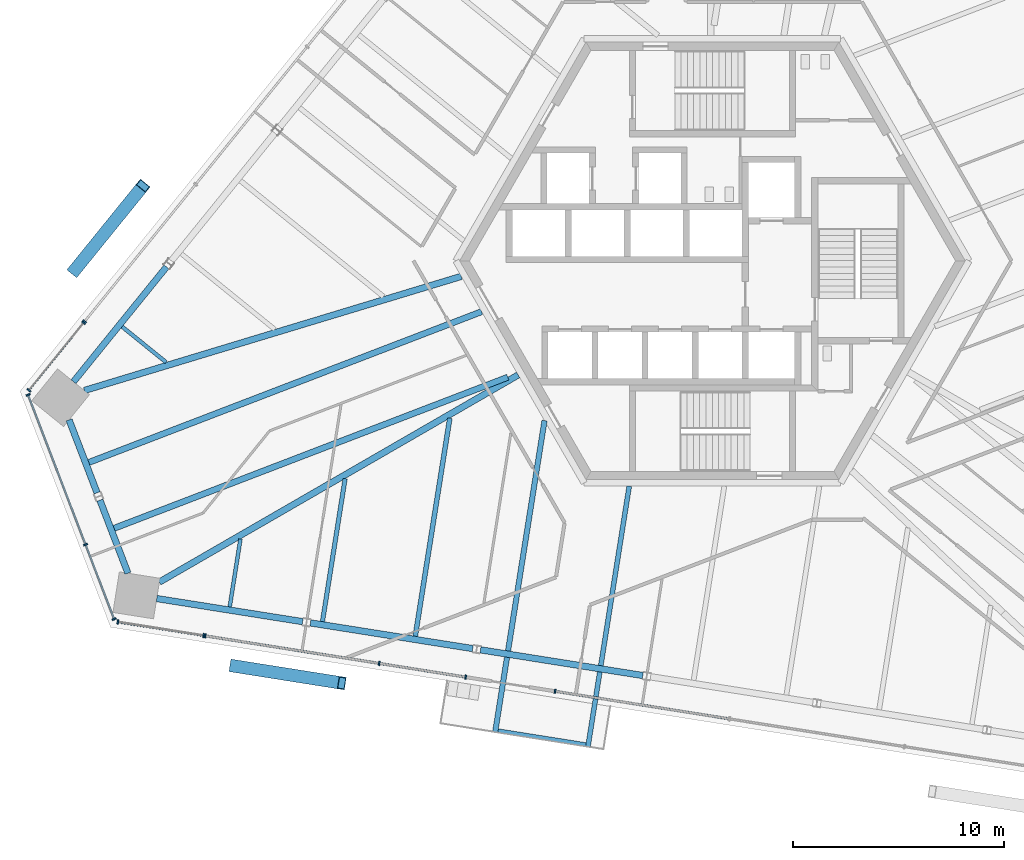
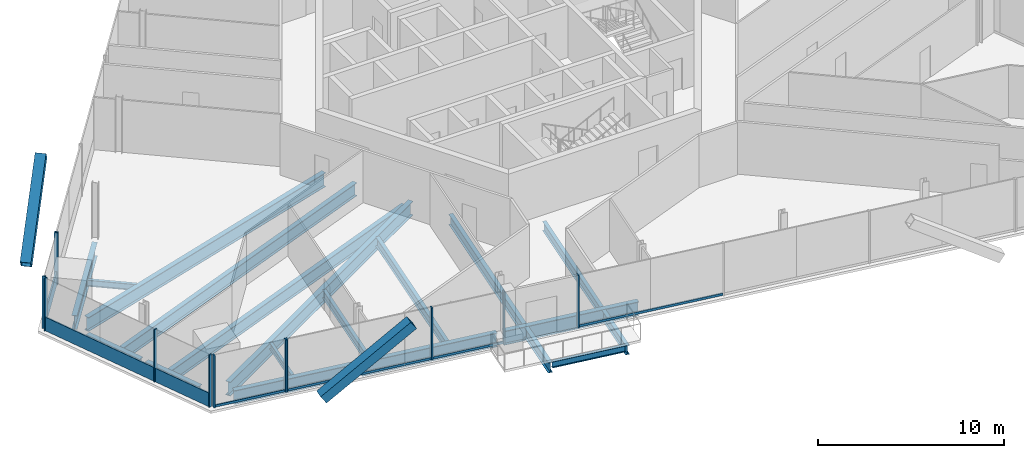
# One storey, part 4 of 19: 21 members, 19 beams, 6 elements without a shape of their own.
"""IFC4 building model written with IfcOpenShell, lengths in metres."""

from ifc_helpers import new_model, si_unit, direction, frame, origin, origin_2d, place, context, subcontext, project, spatial, rectangle, hollow_rectangle, i_section, extrude, source, transform, mapped, material, material_profile, profile_set, type_object, element, aggregate, save


model = new_model("IFC4")

# Units and contexts
model_context = context("Model", 3, precision=1e-05, world=origin(), true_north=direction((0.0, 1.0)))
body_context = subcontext(model_context, "Body", "Model", "MODEL_VIEW")
ifc_project = project(units=[si_unit("LENGTHUNIT", "METRE"), si_unit("AREAUNIT", "SQUARE_METRE"), si_unit("VOLUMEUNIT", "CUBIC_METRE"), si_unit("PLANEANGLEUNIT", "RADIAN"), si_unit("MASSUNIT", "GRAM", prefix="KILO")], contexts=[model_context])

# Site, building, storey
site_placement = place(None, origin())
site = spatial("IfcSite", under=ifc_project, at=site_placement, CompositionType="ELEMENT")
building_placement = place(site_placement, origin())
building = spatial("IfcBuilding", under=site, at=building_placement, Name="Triune Harvest Tower", CompositionType="ELEMENT")
storey_placement = place(building_placement, frame((0.0, 0.0, 142.5)))
storey = spatial("IfcBuildingStorey", under=building, at=storey_placement, Name="L36", CompositionType="ELEMENT", Elevation=142.5)

# Curtain wall, member
ifc_material_1 = material(Name="Aluminium bronze anodised", Category="aluminium")
curtain_wall_type_1 = type_object("IfcCurtainWallType", Name="CW-10 Balcony window wall with insulated spandrel infill", PredefinedType="NOTDEFINED", material=ifc_material_1)
curtain_wall_1_placement = place(storey_placement, origin())
curtain_wall_1 = element("IfcCurtainWall", 1, at=curtain_wall_1_placement, inside=storey, type_object=curtain_wall_type_1, Name="CW-10 B4-F5 L36 run 1001")
ifc_material_2 = material(Name="Aluminium bronze anodised", Category="aluminium")
ifc_material_profile_1 = material_profile(ifc_material_2, rectangle(XDim=0.090087890625, YDim=0.14990234375, at=origin_2d()), Name="TR-6 transom 90 x 150")
ifc_profile_set_1 = profile_set([ifc_material_profile_1], Name="Aluminium bronze anodised")
member_type_1 = type_object("IfcMemberType", Name="TR-6 transom 90 x 150", PredefinedType="USERDEFINED", material=ifc_profile_set_1)
member_1_placement = place(storey_placement, frame((-15.788330078125, -19.1162109375, 0.074951171875), z_axis=(0.987690677754, -0.156419708085, 0.0), x_axis=(0.156419708085, 0.987690677754, 0.0)))
member_1 = element("IfcMember", 2, at=member_1_placement, type_object=member_type_1, Name="CW-10 transom B4-F5 1001.2", ObjectType="TRANSOM", PredefinedType="USERDEFINED", context=body_context, shape_type="SweptSolid", body=[
    extrude(rectangle(XDim=0.090087890625, YDim=0.14990234375, at=origin_2d()), origin(), (0.0, 0.0, 1.0), 4.086181640625),
])

# Beams
ifc_material_3 = material(Name="Steel ASTM A992 Gr 50", Category="steel")
ifc_material_profile_2 = material_profile(ifc_material_3, i_section(OverallWidth=0.3046875, OverallDepth=0.914306640625, WebThickness=0.0166015625, FlangeThickness=0.02587890625, at=origin_2d()), Name="W36x160")
ifc_profile_set_2 = profile_set([ifc_material_profile_2], Name="Steel ASTM A992 Gr 50")
beam_type_1 = type_object("IfcBeamType", Name="SB-1 Spandrel beam W36x160", PredefinedType="SPANDREL", material=ifc_profile_set_2)
shared_shape_1 = source(origin(), body_context, "Body", "SweptSolid", [
    extrude(i_section(OverallWidth=0.3046875, OverallDepth=0.914306640625, WebThickness=0.0166015625, FlangeThickness=0.02587890625, at=origin_2d()), origin(), (0.0, 0.0, 1.0), 7.013427734375),
])
for number, where, z_axis, x_axis, name in (
    (3, (-25.920166015625, -0.2890625, -0.6171875), (-0.629311381255, -0.777153257358, 0.0), (0.777153257358, -0.629311381255, 0.0), "beam/L36/SB14"),
    (4, (-26.3828125, -16.031982421875, -0.6171875), (0.987682109987, -0.156473798484, 0.0), (0.156473798484, 0.987682109987, 0.0), "beam/L36/SB17"),
):
    element("IfcBeam", number, at=place(storey_placement, frame(where, z_axis=z_axis, x_axis=x_axis)), inside=storey, type_object=beam_type_1, Name=name, PredefinedType="SPANDREL", context=body_context, shape_type="MappedRepresentation", body=[
        mapped(shared_shape_1, transform((0.0, 0.0, 0.0), scale=1.0)),
    ])
shared_shape_2 = source(origin(), body_context, "Body", "SweptSolid", [
    extrude(i_section(OverallWidth=0.3046875, OverallDepth=0.914306640625, WebThickness=0.0166015625, FlangeThickness=0.02587890625, at=origin_2d()), origin(), (0.0, 0.0, 1.0), 3.71240234375),
])
beam_1_placement = place(storey_placement, frame((-30.5439453125, -7.548095703125, -0.6171875), z_axis=(0.358406131368, -0.933565768973, 0.0), x_axis=(0.933565768973, 0.358406131368, 0.0)))
element("IfcBeam", 5, at=beam_1_placement, inside=storey, type_object=beam_type_1, Name="beam/L36/SB15", PredefinedType="SPANDREL", context=body_context, shape_type="MappedRepresentation", body=[
    mapped(shared_shape_2, transform((0.0, 0.0, 0.0), scale=1.0)),
])
shared_shape_3 = source(origin(), body_context, "Body", "SweptSolid", [
    extrude(i_section(OverallWidth=0.3046875, OverallDepth=0.914306640625, WebThickness=0.0166015625, FlangeThickness=0.02587890625, at=origin_2d()), origin(), (0.0, 0.0, 1.0), 7.801513671875),
])
for number, where, z_axis, x_axis, name in (
    (6, (-19.087158203125, -17.187744140625, -0.6171875), (0.98768800071, -0.156436610974, 0.0), (0.156436610974, 0.98768800071, 0.0), "beam/L36/SB18"),
    (7, (-11.0126953125, -18.466552734375, -0.6171875), (0.98768800071, -0.156436610974, 0.0), (0.156436610974, 0.98768800071, 0.0), "beam/L36/SB19"),
):
    element("IfcBeam", number, at=place(storey_placement, frame(where, z_axis=z_axis, x_axis=x_axis)), inside=storey, type_object=beam_type_1, Name=name, PredefinedType="SPANDREL", context=body_context, shape_type="MappedRepresentation", body=[
        mapped(shared_shape_3, transform((0.0, 0.0, 0.0), scale=1.0)),
    ])
shared_shape_4 = source(origin(), body_context, "Body", "SweptSolid", [
    extrude(i_section(OverallWidth=0.3046875, OverallDepth=0.914306640625, WebThickness=0.0166015625, FlangeThickness=0.02587890625, at=origin_2d()), origin(), (0.0, 0.0, 1.0), 3.712646484375),
])
beam_2_placement = place(storey_placement, frame((-29.07958984375, -11.362548828125, -0.6171875), z_axis=(0.358326814132, -0.933596215863, 0.0), x_axis=(0.933596215863, 0.358326814132, 0.0)))
element("IfcBeam", 8, at=beam_2_placement, inside=storey, type_object=beam_type_1, Name="beam/L36/SB16", PredefinedType="SPANDREL", context=body_context, shape_type="MappedRepresentation", body=[
    mapped(shared_shape_4, transform((0.0, 0.0, 0.0), scale=1.0)),
])
ifc_material_4 = material(Name="Steel ASTM A992 Gr 50", Category="steel")
ifc_material_profile_3 = material_profile(ifc_material_4, i_section(OverallWidth=0.307373046875, OverallDepth=0.922119140625, WebThickness=0.018310546875, FlangeThickness=0.030029296875, at=origin_2d()), Name="W36x182")
ifc_profile_set_3 = profile_set([ifc_material_profile_3], Name="Steel ASTM A992 Gr 50")
beam_type_2 = type_object("IfcBeamType", Name="HG-2 Hip girder W36x182", PredefinedType="BEAM", material=ifc_profile_set_3)
shared_shape_5 = source(origin(), body_context, "Body", "SweptSolid", [
    extrude(i_section(OverallWidth=0.307373046875, OverallDepth=0.922119140625, WebThickness=0.018310546875, FlangeThickness=0.030029296875, at=origin_2d()), origin(), (0.0, 0.0, 1.0), 19.670166015625),
])
beam_3_placement = place(storey_placement, frame((-26.25927734375, -15.252197265625, -0.62109375), z_axis=(0.866028709221, 0.499994274773, 0.0), x_axis=(-0.499994274773, 0.866028709221, 0.0)))
element("IfcBeam", 9, at=beam_3_placement, inside=storey, type_object=beam_type_2, Name="beam/L36/HG6", PredefinedType="BEAM", context=body_context, shape_type="MappedRepresentation", body=[
    mapped(shared_shape_5, transform((0.0, 0.0, 0.0), scale=1.0)),
])
shared_shape_6 = source(origin(), body_context, "Body", "SweptSolid", [
    extrude(i_section(OverallWidth=0.307373046875, OverallDepth=0.922119140625, WebThickness=0.018310546875, FlangeThickness=0.030029296875, at=origin_2d()), origin(), (0.0, 0.0, 1.0), 18.69580078125),
])
beam_4_placement = place(storey_placement, frame((-29.819580078125, -6.15576171875, -0.62109375), z_axis=(0.957096860763, 0.289768181686, 0.0), x_axis=(-0.289768181686, 0.957096860763, 0.0)))
element("IfcBeam", 10, at=beam_4_placement, inside=storey, type_object=beam_type_2, Name="beam/L36/HG5", PredefinedType="BEAM", context=body_context, shape_type="MappedRepresentation", body=[
    mapped(shared_shape_6, transform((0.0, 0.0, 0.0), scale=1.0)),
])
ifc_material_5 = material(Name="Steel ASTM A992 Gr 50", Category="steel")
ifc_material_profile_4 = material_profile(ifc_material_5, i_section(OverallWidth=0.2099609375, OverallDepth=0.535888671875, WebThickness=0.010986328125, FlangeThickness=0.017333984375, at=origin_2d()), Name="W21x68")
ifc_profile_set_4 = profile_set([ifc_material_profile_4], Name="Steel ASTM A992 Gr 50")
beam_type_3 = type_object("IfcBeamType", Name="JT-2 Floor joist W21x68", PredefinedType="JOIST", material=ifc_profile_set_4)
shared_shape_7 = source(origin(), body_context, "Body", "SweptSolid", [
    extrude(i_section(OverallWidth=0.2099609375, OverallDepth=0.535888671875, WebThickness=0.010986328125, FlangeThickness=0.017333984375, at=origin_2d()), origin(), (0.0, 0.0, 1.0), 6.871826171875),
])
beam_5_placement = place(storey_placement, frame((-18.513671875, -17.124267578125, -0.427978515625), z_axis=(0.156431434427, 0.987688820592, 0.0), x_axis=(-0.987688820592, 0.156431434427, 0.0)))
element("IfcBeam", 11, at=beam_5_placement, inside=storey, type_object=beam_type_3, Name="beam/L36/JT26", PredefinedType="JOIST", context=body_context, shape_type="MappedRepresentation", body=[
    mapped(shared_shape_7, transform((0.0, 0.0, 0.0), scale=1.0)),
])
ifc_material_6 = material(Name="Steel ASTM A992 Gr 50", Category="steel")
ifc_material_profile_5 = material_profile(ifc_material_6, i_section(OverallWidth=0.22900390625, OverallDepth=0.612060546875, WebThickness=0.011962890625, FlangeThickness=0.01953125, at=origin_2d()), Name="W24x84")
ifc_profile_set_5 = profile_set([ifc_material_profile_5], Name="Steel ASTM A992 Gr 50")
beam_type_4 = type_object("IfcBeamType", Name="JT-3 Floor joist W24x84", PredefinedType="JOIST", material=ifc_profile_set_5)
shared_shape_8 = source(origin(), body_context, "Body", "SweptSolid", [
    extrude(i_section(OverallWidth=0.22900390625, OverallDepth=0.612060546875, WebThickness=0.011962890625, FlangeThickness=0.01953125, at=origin_2d()), origin(), (0.0, 0.0, 1.0), 10.482666015625),
])
beam_6_placement = place(storey_placement, frame((-14.109375, -17.82177734375, -0.466064453125), z_axis=(0.156439750993, 0.987687503368, 0.0), x_axis=(-0.987687503368, 0.156439750993, 0.0)))
element("IfcBeam", 12, at=beam_6_placement, inside=storey, type_object=beam_type_4, Name="beam/L36/JT27", PredefinedType="JOIST", context=body_context, shape_type="MappedRepresentation", body=[
    mapped(shared_shape_8, transform((0.0, 0.0, 0.0), scale=1.0)),
])
ifc_material_7 = material(Name="Steel ASTM A992 Gr 50", Category="steel")
ifc_material_profile_6 = material_profile(ifc_material_7, i_section(OverallWidth=0.180908203125, OverallDepth=0.41650390625, WebThickness=0.010986328125, FlangeThickness=0.01806640625, at=origin_2d()), Name="W16x57")
ifc_profile_set_6 = profile_set([ifc_material_profile_6], Name="Steel ASTM A992 Gr 50")
beam_type_5 = type_object("IfcBeamType", Name="JT-1 Floor joist W16x57", PredefinedType="JOIST", material=ifc_profile_set_6)
shared_shape_9 = source(origin(), body_context, "Body", "SweptSolid", [
    extrude(i_section(OverallWidth=0.180908203125, OverallDepth=0.41650390625, WebThickness=0.010986328125, FlangeThickness=0.01806640625, at=origin_2d()), origin(), (0.0, 0.0, 1.0), 2.687255859375),
])
beam_7_placement = place(storey_placement, frame((-28.022705078125, -3.127685546875, -0.368408203125), z_axis=(0.777141190223, -0.629326282987, 0.0), x_axis=(0.629326282987, 0.777141190223, 0.0)))
element("IfcBeam", 13, at=beam_7_placement, inside=storey, type_object=beam_type_5, Name="beam/L36/JT22", PredefinedType="JOIST", context=body_context, shape_type="MappedRepresentation", body=[
    mapped(shared_shape_9, transform((0.0, 0.0, 0.0), scale=1.0)),
])
ifc_material_8 = material(Name="Steel ASTM A992 Gr 50", Category="steel")
ifc_material_profile_7 = material_profile(ifc_material_8, i_section(OverallWidth=0.2919921875, OverallDepth=0.8583984375, WebThickness=0.01708984375, FlangeThickness=0.031005859375, at=origin_2d()), Name="W33x169")
ifc_profile_set_7 = profile_set([ifc_material_profile_7], Name="Steel ASTM A992 Gr 50")
beam_type_6 = type_object("IfcBeamType", Name="JT-7 Floor joist W33x169", PredefinedType="JOIST", material=ifc_profile_set_7)
shared_shape_10 = source(origin(), body_context, "Body", "SweptSolid", [
    extrude(i_section(OverallWidth=0.2919921875, OverallDepth=0.8583984375, WebThickness=0.01708984375, FlangeThickness=0.031005859375, at=origin_2d()), origin(), (0.0, 0.0, 1.0), 19.97216796875),
])
beam_8_placement = place(storey_placement, frame((-29.6044921875, -9.570068359375, -0.58935546875), z_axis=(0.933578234713, 0.358373659287, 0.0), x_axis=(-0.358373659287, 0.933578234713, 0.0)))
element("IfcBeam", 14, at=beam_8_placement, inside=storey, type_object=beam_type_6, Name="beam/L36/JT23", PredefinedType="JOIST", context=body_context, shape_type="MappedRepresentation", body=[
    mapped(shared_shape_10, transform((0.0, 0.0, 0.0), scale=1.0)),
])
shared_shape_11 = source(origin(), body_context, "Body", "SweptSolid", [
    extrude(i_section(OverallWidth=0.180908203125, OverallDepth=0.41650390625, WebThickness=0.010986328125, FlangeThickness=0.01806640625, at=origin_2d()), origin(), (0.0, 0.0, 1.0), 3.2607421875),
])
beam_9_placement = place(storey_placement, frame((-22.917724609375, -16.4267578125, -0.368408203125), z_axis=(0.156404699139, 0.987693054591, 0.0), x_axis=(-0.987693054591, 0.156404699139, 0.0)))
element("IfcBeam", 15, at=beam_9_placement, inside=storey, type_object=beam_type_5, Name="beam/L36/JT25", PredefinedType="JOIST", context=body_context, shape_type="MappedRepresentation", body=[
    mapped(shared_shape_11, transform((0.0, 0.0, 0.0), scale=1.0)),
])
ifc_material_9 = material(Name="Steel ASTM A992 Gr 50", Category="steel")
ifc_material_profile_8 = material_profile(ifc_material_9, i_section(OverallWidth=0.253662109375, OverallDepth=0.683349609375, WebThickness=0.012451171875, FlangeThickness=0.01904296875, at=origin_2d()), Name="W27x94")
ifc_profile_set_8 = profile_set([ifc_material_profile_8], Name="Steel ASTM A992 Gr 50")
beam_type_7 = type_object("IfcBeamType", Name="JT-4 Floor joist W27x94", PredefinedType="JOIST", material=ifc_profile_set_8)
shared_shape_12 = source(origin(), body_context, "Body", "SweptSolid", [
    extrude(i_section(OverallWidth=0.253662109375, OverallDepth=0.683349609375, WebThickness=0.012451171875, FlangeThickness=0.01904296875, at=origin_2d()), origin(), (0.0, 0.0, 1.0), 11.0712890625),
])
beam_10_placement = place(storey_placement, frame((-9.705078125, -18.519287109375, -0.501708984375), z_axis=(0.156433624309, 0.987688473753, 0.0), x_axis=(-0.987688473753, 0.156433624309, 0.0)))
element("IfcBeam", 16, at=beam_10_placement, inside=storey, type_object=beam_type_7, Name="beam/L36/JT28", PredefinedType="JOIST", context=body_context, shape_type="MappedRepresentation", body=[
    mapped(shared_shape_12, transform((0.0, 0.0, 0.0), scale=1.0)),
])
shared_shape_13 = source(origin(), body_context, "Body", "SweptSolid", [
    extrude(i_section(OverallWidth=0.22900390625, OverallDepth=0.612060546875, WebThickness=0.011962890625, FlangeThickness=0.01953125, at=origin_2d()), origin(), (0.0, 0.0, 1.0), 8.6259765625),
])
beam_11_placement = place(storey_placement, frame((-5.301025390625, -19.216796875, -0.466064453125), z_axis=(0.156430549504, 0.987688960747, 0.0), x_axis=(-0.987688960747, 0.156430549504, 0.0)))
element("IfcBeam", 17, at=beam_11_placement, inside=storey, type_object=beam_type_4, Name="beam/L36/JT29", PredefinedType="JOIST", context=body_context, shape_type="MappedRepresentation", body=[
    mapped(shared_shape_13, transform((0.0, 0.0, 0.0), scale=1.0)),
])
shared_shape_14 = source(origin(), body_context, "Body", "SweptSolid", [
    extrude(i_section(OverallWidth=0.2919921875, OverallDepth=0.8583984375, WebThickness=0.01708984375, FlangeThickness=0.031005859375, at=origin_2d()), origin(), (0.0, 0.0, 1.0), 20.01611328125),
])
beam_12_placement = place(storey_placement, frame((-28.404052734375, -12.697509765625, -0.58935546875), z_axis=(0.933581802132, 0.358364365875, 0.0), x_axis=(-0.358364365875, 0.933581802132, 0.0)))
element("IfcBeam", 18, at=beam_12_placement, inside=storey, type_object=beam_type_6, Name="beam/L36/JT24", PredefinedType="JOIST", context=body_context, shape_type="MappedRepresentation", body=[
    mapped(shared_shape_14, transform((0.0, 0.0, 0.0), scale=1.0)),
])

# Members
ifc_material_10 = material(Name="Steel ASTM A572 Gr 50", Category="steel")
ifc_material_profile_9 = material_profile(ifc_material_10, hollow_rectangle(XDim=0.60009765625, YDim=0.60009765625, WallThickness=0.0400390625, at=origin_2d()), Name="Box 600x600x40")
ifc_profile_set_9 = profile_set([ifc_material_profile_9], Name="Steel ASTM A572 Gr 50")
member_type_2 = type_object("IfcMemberType", Name="BR-2 Brace Box 600x600x40", PredefinedType="BRACE", material=ifc_profile_set_9)
shared_shape_15 = source(origin(), body_context, "Body", "SweptSolid", [
    extrude(hollow_rectangle(XDim=0.60009765625, YDim=0.60009765625, WallThickness=0.0400390625, at=origin_2d()), origin(), (0.0, 0.0, 1.0), 6.329345703125),
])
for number, where, z_axis, x_axis, name in (
    (19, (-30.30908203125, -0.483154296875, 0.0), (0.517577746564, 0.639199645127, 0.568803208439), (-0.777167320443, 0.629294013983, 0.0), "brace/B4-F3/d2/2"),
    (20, (-22.73779296875, -19.23046875, 0.0), (0.812352534668, -0.128641771278, 0.568801067247), (0.156408097916, 0.987692516377, 0.0), "brace/B4-F5/d1/2"),
):
    element("IfcMember", number, at=place(storey_placement, frame(where, z_axis=z_axis, x_axis=x_axis)), inside=storey, type_object=member_type_2, Name=name, PredefinedType="BRACE", context=body_context, shape_type="MappedRepresentation", body=[
        mapped(shared_shape_15, transform((0.0, 0.0, 0.0), scale=1.0)),
    ])

# Curtain wall, member
ifc_material_11 = material(Name="Aluminium bronze anodised", Category="aluminium")
curtain_wall_type_2 = type_object("IfcCurtainWallType", Name="CW-7 Tower stick curtain wall with insulated spandrel infill", PredefinedType="NOTDEFINED", material=ifc_material_11)
curtain_wall_2_placement = place(storey_placement, origin())
curtain_wall_2 = element("IfcCurtainWall", 21, at=curtain_wall_2_placement, inside=storey, type_object=curtain_wall_type_2, Name="CW-7 B4-F3 L36 run 1001")
ifc_material_12 = material(Name="Aluminium bronze anodised", Category="aluminium")
ifc_material_profile_10 = material_profile(ifc_material_12, rectangle(XDim=0.199951171875, YDim=0.074951171875, at=origin_2d()), Name="MU-1 mullion 75 x 200")
ifc_profile_set_10 = profile_set([ifc_material_profile_10], Name="Aluminium bronze anodised")
member_type_3 = type_object("IfcMemberType", Name="MU-1 mullion 75 x 200", PredefinedType="MULLION", material=ifc_profile_set_10)
shared_shape_16 = source(origin(), body_context, "Body", "SweptSolid", [
    extrude(rectangle(XDim=0.199951171875, YDim=0.074951171875, at=origin_2d()), origin(), (0.0, 0.0, 1.0), 3.43994140625),
])
member_2_placement = place(storey_placement, frame((-29.80419921875, -2.87841796875, 0.0), z_axis=(0.0, 0.0, 1.0), x_axis=(0.77714431638, -0.629322422546, 0.0)))
member_2 = element("IfcMember", 22, at=member_2_placement, type_object=member_type_3, Name="CW-7 mullion B4-F3 1001.11", PredefinedType="MULLION", context=body_context, shape_type="MappedRepresentation", body=[
    mapped(shared_shape_16, transform((0.0, 0.0, 0.0), scale=1.0)),
])
aggregate(curtain_wall_2, [member_2])

# Curtain wall, members
ifc_material_13 = material(Name="Aluminium bronze anodised", Category="aluminium")
curtain_wall_type_3 = type_object("IfcCurtainWallType", Name="CW-1 Tower stick curtain wall", PredefinedType="NOTDEFINED", material=ifc_material_13)
curtain_wall_3_placement = place(storey_placement, origin())
curtain_wall_3 = element("IfcCurtainWall", 23, at=curtain_wall_3_placement, inside=storey, type_object=curtain_wall_type_3, Name="CW-1 B4-F3 L36 run 2001")
member_3_placement = place(storey_placement, frame((-29.851318359375, -2.9365234375, 0.0), z_axis=(0.0, 0.0, 1.0), x_axis=(0.777148997544, -0.629316641776, 0.0)))
member_3 = element("IfcMember", 24, at=member_3_placement, type_object=member_type_3, Name="CW-1 mullion B4-F3 2001.1", PredefinedType="MULLION", context=body_context, shape_type="MappedRepresentation", body=[
    mapped(shared_shape_16, transform((0.0, 0.0, 0.0), scale=1.0)),
])
member_4_placement = place(storey_placement, frame((-32.451171875, -6.147216796875, 0.0), z_axis=(0.0, 0.0, 1.0), x_axis=(0.777148997544, -0.629316641776, 0.0)))
member_4 = element("IfcMember", 25, at=member_4_placement, type_object=member_type_3, Name="CW-1 mullion B4-F3 2001.2", PredefinedType="MULLION", context=body_context, shape_type="MappedRepresentation", body=[
    mapped(shared_shape_16, transform((0.0, 0.0, 0.0), scale=1.0)),
])

curtain_wall_4_placement = place(storey_placement, origin())
curtain_wall_4 = element("IfcCurtainWall", 26, at=curtain_wall_4_placement, inside=storey, type_object=curtain_wall_type_3, Name="CW-1 B4-F4 L36 run 1")
member_5_placement = place(storey_placement, frame((-32.485595703125, -6.365234375, 0.0), z_axis=(0.0, 0.0, 1.0), x_axis=(0.933580057745, 0.358368910177, 0.0)))
member_5 = element("IfcMember", 27, at=member_5_placement, type_object=member_type_3, Name="CW-1 mullion B4-F4 1.1", PredefinedType="MULLION", context=body_context, shape_type="MappedRepresentation", body=[
    mapped(shared_shape_16, transform((0.0, 0.0, 0.0), scale=1.0)),
])
member_6_placement = place(storey_placement, frame((-29.7578125, -13.47119140625, 0.0), z_axis=(0.0, 0.0, 1.0), x_axis=(0.933580057745, 0.358368910177, 0.0)))
member_6 = element("IfcMember", 28, at=member_6_placement, type_object=member_type_3, Name="CW-1 mullion B4-F4 1.3", PredefinedType="MULLION", context=body_context, shape_type="MappedRepresentation", body=[
    mapped(shared_shape_16, transform((0.0, 0.0, 0.0), scale=1.0)),
])
member_7_placement = place(storey_placement, frame((-28.400634765625, -17.0068359375, 0.0), z_axis=(0.0, 0.0, 1.0), x_axis=(0.933580057745, 0.358368910177, 0.0)))
member_7 = element("IfcMember", 29, at=member_7_placement, type_object=member_type_3, Name="CW-1 mullion B4-F4 1.4", PredefinedType="MULLION", context=body_context, shape_type="MappedRepresentation", body=[
    mapped(shared_shape_16, transform((0.0, 0.0, 0.0), scale=1.0)),
])

ifc_material_14 = material(Name="Aluminium bronze anodised", Category="aluminium")
curtain_wall_type_4 = type_object("IfcCurtainWallType", Name="CW-6 Balcony window wall", PredefinedType="NOTDEFINED", material=ifc_material_14)
curtain_wall_5_placement = place(storey_placement, origin())
curtain_wall_5 = element("IfcCurtainWall", 30, at=curtain_wall_5_placement, inside=storey, type_object=curtain_wall_type_4, Name="CW-6 B4-F5 L36 run 1")
ifc_material_15 = material(Name="Aluminium bronze anodised", Category="aluminium")
ifc_material_profile_11 = material_profile(ifc_material_15, rectangle(XDim=0.199951171875, YDim=0.074951171875, at=origin_2d()), Name="MU-6 mullion 75 x 200")
ifc_profile_set_11 = profile_set([ifc_material_profile_11], Name="Aluminium bronze anodised")
member_type_4 = type_object("IfcMemberType", Name="MU-6 mullion 75 x 200", PredefinedType="MULLION", material=ifc_profile_set_11)
shared_shape_17 = source(origin(), body_context, "Body", "SweptSolid", [
    extrude(rectangle(XDim=0.199951171875, YDim=0.074951171875, at=origin_2d()), origin(), (0.0, 0.0, 1.0), 3.43994140625),
])
member_8_placement = place(storey_placement, frame((-28.22900390625, -17.145751953125, 0.0), z_axis=(0.0, 0.0, 1.0), x_axis=(0.156437982917, 0.987687783412, 0.0)))
member_8 = element("IfcMember", 31, at=member_8_placement, type_object=member_type_4, Name="CW-6 mullion B4-F5 1.1", PredefinedType="MULLION", context=body_context, shape_type="MappedRepresentation", body=[
    mapped(shared_shape_17, transform((0.0, 0.0, 0.0), scale=1.0)),
])
member_9_placement = place(storey_placement, frame((-24.15625, -17.790771484375, 0.0), z_axis=(0.0, 0.0, 1.0), x_axis=(0.156437982917, 0.987687783412, 0.0)))
member_9 = element("IfcMember", 32, at=member_9_placement, type_object=member_type_4, Name="CW-6 mullion B4-F5 1.2", PredefinedType="MULLION", context=body_context, shape_type="MappedRepresentation", body=[
    mapped(shared_shape_17, transform((0.0, 0.0, 0.0), scale=1.0)),
])

# Member
member_10_placement = place(storey_placement, frame((-24.082275390625, -17.802490234375, 0.0), z_axis=(0.0, 0.0, 1.0), x_axis=(0.156433971642, 0.987688418742, 0.0)))
member_10 = element("IfcMember", 33, at=member_10_placement, type_object=member_type_4, Name="CW-10 mullion B4-F5 1001.1", PredefinedType="MULLION", context=body_context, shape_type="MappedRepresentation", body=[
    mapped(shared_shape_17, transform((0.0, 0.0, 0.0), scale=1.0)),
])

member_11_placement = place(storey_placement, frame((-15.8251953125, -19.1103515625, 0.0), z_axis=(0.0, 0.0, 1.0), x_axis=(0.156433971642, 0.987688418742, 0.0)))
member_11 = element("IfcMember", 34, at=member_11_placement, type_object=member_type_4, Name="CW-10 mullion B4-F5 1001.3", PredefinedType="MULLION", context=body_context, shape_type="MappedRepresentation", body=[
    mapped(shared_shape_17, transform((0.0, 0.0, 0.0), scale=1.0)),
])

member_12_placement = place(storey_placement, frame((-11.71533203125, -19.76123046875, 0.0), z_axis=(0.0, 0.0, 1.0), x_axis=(0.156433971642, 0.987688418742, 0.0)))
member_12 = element("IfcMember", 35, at=member_12_placement, type_object=member_type_4, Name="CW-10 mullion B4-F5 1001.4", PredefinedType="MULLION", context=body_context, shape_type="MappedRepresentation", body=[
    mapped(shared_shape_17, transform((0.0, 0.0, 0.0), scale=1.0)),
])

# Curtain wall, member
curtain_wall_6_placement = place(storey_placement, origin())
curtain_wall_6 = element("IfcCurtainWall", 36, at=curtain_wall_6_placement, inside=storey, type_object=curtain_wall_type_1, Name="CW-10 B4-F5 L36 run 2")
member_13_placement = place(storey_placement, frame((-7.47216796875, -20.433349609375, 0.0), z_axis=(0.0, 0.0, 1.0), x_axis=(0.15643526604, 0.987688213729, 0.0)))
member_13 = element("IfcMember", 37, at=member_13_placement, type_object=member_type_4, Name="CW-10 mullion B4-F5 2.1", PredefinedType="MULLION", context=body_context, shape_type="MappedRepresentation", body=[
    mapped(shared_shape_17, transform((0.0, 0.0, 0.0), scale=1.0)),
])

# Beams
ifc_material_16 = material(Name="Steel ASTM A992 Gr 50", Category="steel")
ifc_material_profile_12 = material_profile(ifc_material_16, i_section(OverallWidth=0.253662109375, OverallDepth=0.683349609375, WebThickness=0.012451171875, FlangeThickness=0.01904296875, at=origin_2d()), Name="W27x94")
ifc_profile_set_12 = profile_set([ifc_material_profile_12], Name="Steel ASTM A992 Gr 50")
beam_type_8 = type_object("IfcBeamType", Name="BJ-4 Balcony cantilever joist W27x94", PredefinedType="JOIST", material=ifc_profile_set_12)
shared_shape_18 = source(origin(), body_context, "Body", "SweptSolid", [
    extrude(i_section(OverallWidth=0.253662109375, OverallDepth=0.683349609375, WebThickness=0.012451171875, FlangeThickness=0.01904296875, at=origin_2d()), origin(), (0.0, 0.0, 1.0), 3.59765625),
])
beam_13_placement = place(storey_placement, frame((-9.7529296875, -18.8203125, -0.501708984375), z_axis=(-0.156415563393, -0.987691334137, 0.0), x_axis=(0.987691334137, -0.156415563393, 0.0)))
element("IfcBeam", 38, at=beam_13_placement, inside=storey, type_object=beam_type_8, Name="Balcony cantilever joist B4-F5 L36.5a", PredefinedType="JOIST", context=body_context, shape_type="MappedRepresentation", body=[
    mapped(shared_shape_18, transform((0.0, 0.0, 0.0), scale=1.0)),
])
ifc_material_17 = material(Name="Steel ASTM A992 Gr 50", Category="steel")
ifc_material_profile_13 = material_profile(ifc_material_17, i_section(OverallWidth=0.22900390625, OverallDepth=0.612060546875, WebThickness=0.011962890625, FlangeThickness=0.01953125, at=origin_2d()), Name="W24x84")
ifc_profile_set_13 = profile_set([ifc_material_profile_13], Name="Steel ASTM A992 Gr 50")
beam_type_9 = type_object("IfcBeamType", Name="BJ-3 Balcony cantilever joist W24x84", PredefinedType="JOIST", material=ifc_profile_set_13)
shared_shape_19 = source(origin(), body_context, "Body", "SweptSolid", [
    extrude(i_section(OverallWidth=0.22900390625, OverallDepth=0.612060546875, WebThickness=0.011962890625, FlangeThickness=0.01953125, at=origin_2d()), origin(), (0.0, 0.0, 1.0), 3.597900390625),
])
beam_14_placement = place(storey_placement, frame((-5.3486328125, -19.517822265625, -0.466064453125), z_axis=(-0.156481761353, -0.987680848434, 0.0), x_axis=(0.987680848434, -0.156481761353, 0.0)))
element("IfcBeam", 39, at=beam_14_placement, inside=storey, type_object=beam_type_9, Name="Balcony cantilever joist B4-F5 L36.5b", PredefinedType="JOIST", context=body_context, shape_type="MappedRepresentation", body=[
    mapped(shared_shape_19, transform((0.0, 0.0, 0.0), scale=1.0)),
])

# Member
shared_shape_20 = source(origin(), body_context, "Body", "SweptSolid", [
    extrude(rectangle(XDim=0.090087890625, YDim=0.14990234375, at=origin_2d()), origin(), (0.0, 0.0, 1.0), 4.048583984375),
])
member_14_placement = place(storey_placement, frame((-28.192138671875, -17.151611328125, 0.074951171875), z_axis=(0.987690005972, -0.156423949905, 0.0), x_axis=(0.156423949905, 0.987690005972, 0.0)))
member_14 = element("IfcMember", 40, at=member_14_placement, type_object=member_type_1, Name="CW-6 transom B4-F5 1.1", ObjectType="TRANSOM", PredefinedType="USERDEFINED", context=body_context, shape_type="MappedRepresentation", body=[
    mapped(shared_shape_20, transform((0.0, 0.0, 0.0), scale=1.0)),
])

aggregate(curtain_wall_5, [member_8, member_9, member_14])

shared_shape_21 = source(origin(), body_context, "Body", "SweptSolid", [
    extrude(rectangle(XDim=0.090087890625, YDim=0.14990234375, at=origin_2d()), origin(), (0.0, 0.0, 1.0), 8.284912109375),
])
member_15_placement = place(storey_placement, frame((-24.045166015625, -17.808349609375, 0.074951171875), z_axis=(0.987686388546, -0.156446789295, 0.0), x_axis=(0.156446789295, 0.987686388546, 0.0)))
member_15 = element("IfcMember", 41, at=member_15_placement, type_object=member_type_1, Name="CW-10 transom B4-F5 1001.1", ObjectType="TRANSOM", PredefinedType="USERDEFINED", context=body_context, shape_type="MappedRepresentation", body=[
    mapped(shared_shape_21, transform((0.0, 0.0, 0.0), scale=1.0)),
])

aggregate(curtain_wall_1, [member_10, member_11, member_12, member_15, member_1])

shared_shape_22 = source(origin(), body_context, "Body", "SweptSolid", [
    extrude(rectangle(XDim=0.090087890625, YDim=0.14990234375, at=origin_2d()), origin(), (0.0, 0.0, 1.0), 8.303955078125),
])
member_16_placement = place(storey_placement, frame((-7.43505859375, -20.439208984375, 0.074951171875), z_axis=(0.987687281625, -0.156441150965, 0.0), x_axis=(0.156441150965, 0.987687281625, 0.0)))
member_16 = element("IfcMember", 42, at=member_16_placement, type_object=member_type_1, Name="CW-10 transom B4-F5 2.1", ObjectType="TRANSOM", PredefinedType="USERDEFINED", context=body_context, shape_type="MappedRepresentation", body=[
    mapped(shared_shape_22, transform((0.0, 0.0, 0.0), scale=1.0)),
])

aggregate(curtain_wall_6, [member_13, member_16])

ifc_material_18 = material(Name="Aluminium bronze anodised", Category="aluminium")
ifc_material_profile_14 = material_profile(ifc_material_18, rectangle(XDim=0.090087890625, YDim=0.89990234375, at=origin_2d()), Name="TR-1 transom 90 x 900")
ifc_profile_set_14 = profile_set([ifc_material_profile_14], Name="Aluminium bronze anodised")
member_type_5 = type_object("IfcMemberType", Name="TR-1 transom 90 x 900", PredefinedType="USERDEFINED", material=ifc_profile_set_14)
shared_shape_23 = source(origin(), body_context, "Body", "SweptSolid", [
    extrude(rectangle(XDim=0.090087890625, YDim=0.89990234375, at=origin_2d()), origin(), (0.0, 0.0, 1.0), 3.7119140625),
])
member_17_placement = place(storey_placement, frame((-29.744384765625, -13.50634765625, 0.449951171875), z_axis=(0.358392822083, -0.933570878444, 0.0), x_axis=(0.933570878444, 0.358392822083, 0.0)))
member_17 = element("IfcMember", 43, at=member_17_placement, type_object=member_type_5, Name="CW-1 transom B4-F4 1.2", ObjectType="TRANSOM", PredefinedType="USERDEFINED", context=body_context, shape_type="MappedRepresentation", body=[
    mapped(shared_shape_23, transform((0.0, 0.0, 0.0), scale=1.0)),
])

shared_shape_24 = source(origin(), body_context, "Body", "SweptSolid", [
    extrude(rectangle(XDim=0.090087890625, YDim=0.89990234375, at=origin_2d()), origin(), (0.0, 0.0, 1.0), 4.055908203125),
])
member_18_placement = place(storey_placement, frame((-29.875, -2.9658203125, 0.449951171875), z_axis=(-0.629315968505, -0.777149542742, 0.0), x_axis=(0.777149542742, -0.629315968505, 0.0)))
member_18 = element("IfcMember", 44, at=member_18_placement, type_object=member_type_5, Name="CW-1 transom B4-F3 2001.1", ObjectType="TRANSOM", PredefinedType="USERDEFINED", context=body_context, shape_type="MappedRepresentation", body=[
    mapped(shared_shape_24, transform((0.0, 0.0, 0.0), scale=1.0)),
])

aggregate(curtain_wall_3, [member_3, member_4, member_18])

shared_shape_25 = source(origin(), body_context, "Body", "SweptSolid", [
    extrude(rectangle(XDim=0.090087890625, YDim=0.89990234375, at=origin_2d()), origin(), (0.0, 0.0, 1.0), 7.53662109375),
])
member_19_placement = place(storey_placement, frame((-32.47216796875, -6.400146484375, 0.449951171875), z_axis=(0.358369036816, -0.933580009132, 0.0), x_axis=(0.933580009132, 0.358369036816, 0.0)))
member_19 = element("IfcMember", 45, at=member_19_placement, type_object=member_type_5, Name="CW-1 transom B4-F4 1.1", ObjectType="TRANSOM", PredefinedType="USERDEFINED", context=body_context, shape_type="MappedRepresentation", body=[
    mapped(shared_shape_25, transform((0.0, 0.0, 0.0), scale=1.0)),
])

aggregate(curtain_wall_4, [member_5, member_6, member_7, member_19, member_17])

# Beam
ifc_material_19 = material(Name="Steel ASTM A992 Gr 50", Category="steel")
ifc_material_profile_15 = material_profile(ifc_material_19, i_section(OverallWidth=0.180908203125, OverallDepth=0.41650390625, WebThickness=0.010986328125, FlangeThickness=0.01806640625, at=origin_2d()), Name="W16x57")
ifc_profile_set_15 = profile_set([ifc_material_profile_15], Name="Steel ASTM A992 Gr 50")
beam_type_10 = type_object("IfcBeamType", Name="BE-1 balcony edge beam W16x57", PredefinedType="BEAM", material=ifc_profile_set_15)
shared_shape_26 = source(origin(), body_context, "Body", "SweptSolid", [
    extrude(i_section(OverallWidth=0.180908203125, OverallDepth=0.41650390625, WebThickness=0.010986328125, FlangeThickness=0.01806640625, at=origin_2d()), origin(), (0.0, 0.0, 1.0), 4.2177734375),
])
beam_15_placement = place(storey_placement, frame((-10.17626953125, -22.30419921875, -0.368408203125), z_axis=(0.987683990961, -0.156461925076, 0.0), x_axis=(0.156461925076, 0.987683990961, 0.0)))
element("IfcBeam", 46, at=beam_15_placement, inside=storey, type_object=beam_type_10, Name="Balcony edge beam B4-F5 L36.5", PredefinedType="BEAM", context=body_context, shape_type="MappedRepresentation", body=[
    mapped(shared_shape_26, transform((0.0, 0.0, 0.0), scale=1.0)),
])

save(model, "model.ifc")
